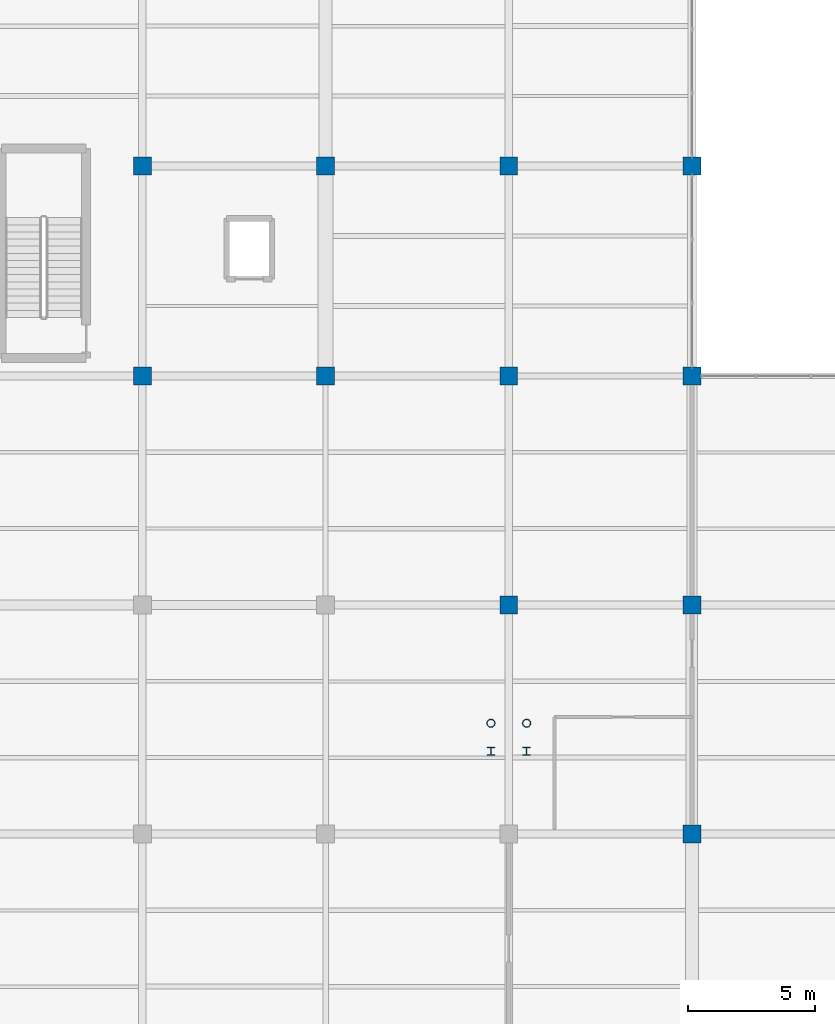
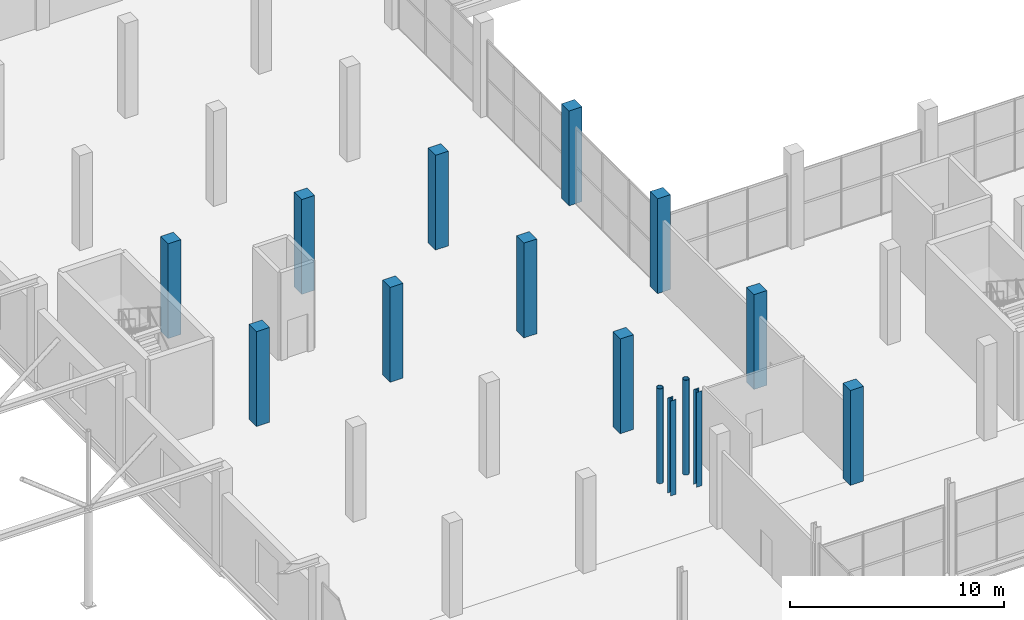
# One storey, part 7 of 147: 15 columns.
"""IFC4 building model written with IfcOpenShell, lengths in metres."""

from ifc_helpers import new_model, si_unit, direction, frame, origin, origin_2d, place, context, subcontext, project, spatial, rectangle, hollow_circle, i_section, extrude, material, material_profile, profile_set, type_object, element, save


model = new_model("IFC4")

# Units and contexts
model_context = context("Model", 3, precision=1e-05, world=origin(), true_north=direction((0.0, 1.0)))
body_context = subcontext(model_context, "Body", "Model", "MODEL_VIEW")
ifc_project = project(units=[si_unit("LENGTHUNIT", "METRE"), si_unit("AREAUNIT", "SQUARE_METRE"), si_unit("VOLUMEUNIT", "CUBIC_METRE"), si_unit("PLANEANGLEUNIT", "RADIAN"), si_unit("MASSUNIT", "GRAM", prefix="KILO")], contexts=[model_context])

# Site, building, storey
site_placement = place(None, origin())
site = spatial("IfcSite", under=ifc_project, at=site_placement, CompositionType="ELEMENT")
building_placement = place(site_placement, origin())
building = spatial("IfcBuilding", under=site, at=building_placement, Name="Sundgate Opera House", CompositionType="ELEMENT")
storey_placement = place(building_placement, frame((0.0, 0.0, 6.0)))
storey = spatial("IfcBuildingStorey", under=building, at=storey_placement, Name="L01", CompositionType="ELEMENT", Elevation=6.0)

# Columns
ifc_material_1 = material(Name="Steel S355J2", Category="steel")
ifc_material_profile_1 = material_profile(ifc_material_1, hollow_circle(Radius=0.161865234375, WallThickness=0.01611328125, at=origin_2d()), Name="CHS 323.9x16.0")
ifc_profile_set_1 = profile_set([ifc_material_profile_1], Name="Steel S355J2")
column_type_1 = type_object("IfcColumnType", Name="CL-CHS-324", PredefinedType="COLUMN", material=ifc_profile_set_1)
for number, where, z_axis, x_axis, name in (
    (1, (116.300048828125, 73.35009765625, 0.0), (0.0, 0.0, 1.0), (1.0, 0.0, 0.0), "Orchestra Observation Gallery Straight Stair Post C L01"),
    (2, (117.699951171875, 73.35009765625, 0.0), (0.0, 0.0, 1.0), (1.0, 0.0, 0.0), "Orchestra Observation Gallery Straight Stair Post D L01"),
):
    element("IfcColumn", number, at=place(storey_placement, frame(where, z_axis=z_axis, x_axis=x_axis)), inside=storey, type_object=column_type_1, Name=name, PredefinedType="COLUMN", context=body_context, shape_type="SweptSolid", body=[
        extrude(hollow_circle(Radius=0.161865234375, WallThickness=0.01611328125, at=origin_2d()), origin(), (0.0, 0.0, 1.0), 5.39990234375),
    ])
ifc_material_2 = material(Name="Concrete C40/50", Category="concrete")
ifc_material_profile_2 = material_profile(ifc_material_2, rectangle(XDim=0.699951171875, YDim=0.699951171875, at=origin_2d()), Name="RC 700x700")
ifc_profile_set_2 = profile_set([ifc_material_profile_2], Name="Concrete C40/50")
column_type_2 = type_object("IfcColumnType", Name="CL-RC-700", PredefinedType="COLUMN", material=ifc_profile_set_2)
for number, where, z_axis, x_axis, name in (
    (3, (102.60009765625, 87.0, 0.0), (0.0, 0.0, 1.0), (1.0, 0.0, 0.0), "L01 Column C0734"),
    (4, (102.60009765625, 95.25, 0.0), (0.0, 0.0, 1.0), (1.0, 0.0, 0.0), "L01 Column C0740"),
    (5, (109.800048828125, 87.0, 0.0), (0.0, 0.0, 1.0), (1.0, 0.0, 0.0), "L01 Column C0795"),
    (6, (109.800048828125, 95.25, 0.0), (0.0, 0.0, 1.0), (1.0, 0.0, 0.0), "L01 Column C0801"),
    (7, (117.0, 78.0, 0.0), (0.0, 0.0, 1.0), (1.0, 0.0, 0.0), "L01 Column C0856"),
    (8, (117.0, 87.0, 0.0), (0.0, 0.0, 1.0), (1.0, 0.0, 0.0), "L01 Column C0859"),
    (9, (117.0, 95.25, 0.0), (0.0, 0.0, 1.0), (1.0, 0.0, 0.0), "L01 Column C0865"),
    (10, (124.199951171875, 69.0, 0.0), (0.0, 0.0, 1.0), (1.0, 0.0, 0.0), "L01 Column C0910"),
    (11, (124.199951171875, 78.0, 0.0), (0.0, 0.0, 1.0), (1.0, 0.0, 0.0), "L01 Column C0916"),
    (12, (124.199951171875, 87.0, 0.0), (0.0, 0.0, 1.0), (1.0, 0.0, 0.0), "L01 Column C0922"),
    (13, (124.199951171875, 95.25, 0.0), (0.0, 0.0, 1.0), (1.0, 0.0, 0.0), "L01 Column C0928"),
):
    element("IfcColumn", number, at=place(storey_placement, frame(where, z_axis=z_axis, x_axis=x_axis)), inside=storey, type_object=column_type_2, Name=name, PredefinedType="COLUMN", context=body_context, shape_type="SweptSolid", body=[
        extrude(rectangle(XDim=0.699951171875, YDim=0.699951171875, at=origin_2d()), origin(), (0.0, 0.0, 1.0), 5.39990234375),
    ])
ifc_material_3 = material(Name="Steel S355J2", Category="steel")
ifc_material_profile_3 = material_profile(ifc_material_3, i_section(OverallWidth=0.300048828125, OverallDepth=0.300048828125, WebThickness=0.010986328125, FlangeThickness=0.01904296875, at=origin_2d()), Name="HEB 300")
ifc_profile_set_3 = profile_set([ifc_material_profile_3], Name="Steel S355J2")
column_type_3 = type_object("IfcColumnType", Name="CL-STL-300", PredefinedType="COLUMN", material=ifc_profile_set_3)
for number, where, z_axis, x_axis, name in (
    (14, (116.300048828125, 72.25, 0.0), (0.0, 0.0, 1.0), (1.0, 0.0, 0.0), "Orchestra Observation Gallery Straight Stair Post A L01"),
    (15, (117.699951171875, 72.25, 0.0), (0.0, 0.0, 1.0), (1.0, 0.0, 0.0), "Orchestra Observation Gallery Straight Stair Post B L01"),
):
    element("IfcColumn", number, at=place(storey_placement, frame(where, z_axis=z_axis, x_axis=x_axis)), inside=storey, type_object=column_type_3, Name=name, PredefinedType="COLUMN", context=body_context, shape_type="SweptSolid", body=[
        extrude(i_section(OverallWidth=0.300048828125, OverallDepth=0.300048828125, WebThickness=0.010986328125, FlangeThickness=0.01904296875, at=origin_2d()), origin(), (0.0, 0.0, 1.0), 5.39990234375),
    ])

save(model, "model.ifc")
